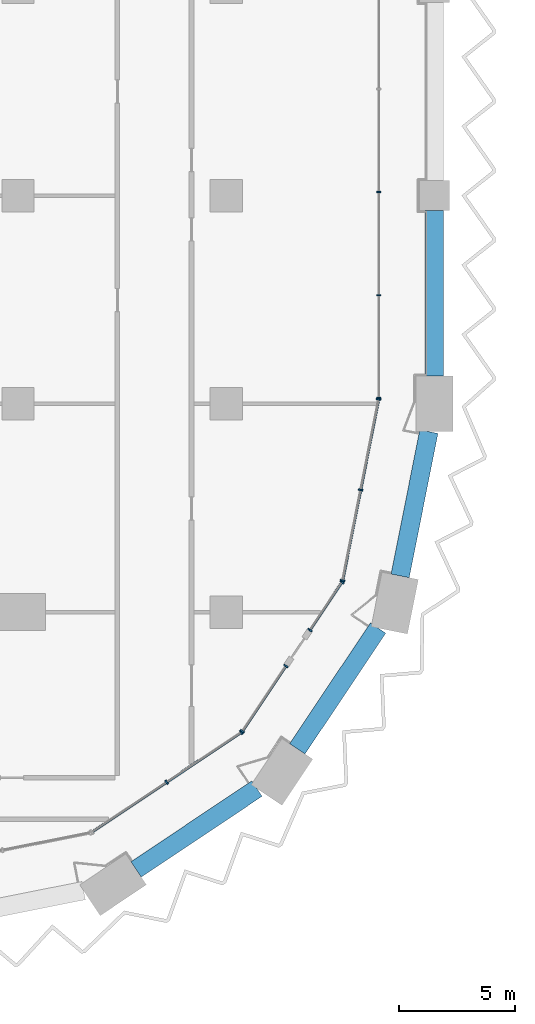
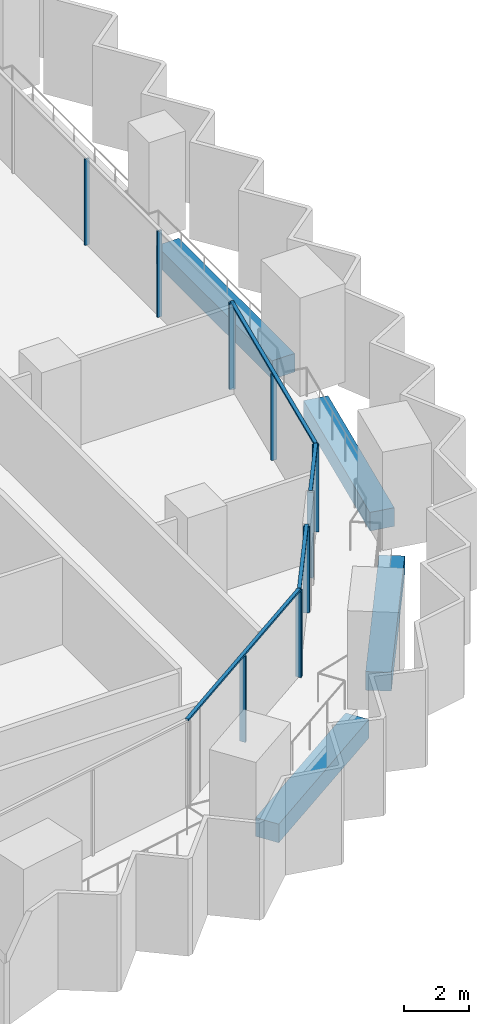
# One storey, part 3 of 29: 16 members, 4 beams, 5 elements without a shape of their own.
"""IFC4 building model written with IfcOpenShell, lengths in metres."""

from ifc_helpers import new_model, si_unit, direction, frame, origin, origin_2d, place, context, subcontext, project, spatial, rectangle, extrude, material, material_profile, profile_set, type_object, element, aggregate, save


model = new_model("IFC4")

# Units and contexts
model_context = context("Model", 3, precision=1e-05, world=origin(), true_north=direction((0.0, 1.0)))
body_context = subcontext(model_context, "Body", "Model", "MODEL_VIEW")
ifc_project = project(units=[si_unit("LENGTHUNIT", "METRE"), si_unit("AREAUNIT", "SQUARE_METRE"), si_unit("VOLUMEUNIT", "CUBIC_METRE"), si_unit("PLANEANGLEUNIT", "RADIAN"), si_unit("MASSUNIT", "GRAM", prefix="KILO")], contexts=[model_context])

# Site, building, storey
site_placement = place(None, origin())
site = spatial("IfcSite", under=ifc_project, at=site_placement, CompositionType="ELEMENT")
building_placement = place(site_placement, origin())
building = spatial("IfcBuilding", under=site, at=building_placement, Name="Hunhe Ridgeline Campus", CompositionType="ELEMENT")
storey_placement = place(building_placement, frame((0.0, 0.0, 50.60009765625)))
storey = spatial("IfcBuildingStorey", under=building, at=storey_placement, Name="L11", CompositionType="ELEMENT", Elevation=50.60009765625)

# Curtain wall, members
ifc_material_1 = material(Name="Aluminium 6063", Category="aluminium")
curtain_wall_type_1 = type_object("IfcCurtainWallType", Name="Curtain wall CW-1", PredefinedType="NOTDEFINED", material=ifc_material_1)
curtain_wall_1_placement = place(storey_placement, origin())
curtain_wall_1 = element("IfcCurtainWall", 1, at=curtain_wall_1_placement, inside=storey, type_object=curtain_wall_type_1, Name="Curtain wall 11", PredefinedType="NOTDEFINED")
ifc_material_profile_1 = material_profile(ifc_material_1, rectangle(XDim=0.159912109375, YDim=0.06005859375, at=origin_2d()))
ifc_profile_set_1 = profile_set([ifc_material_profile_1], Name="Aluminium 6063")
member_type_1 = type_object("IfcMemberType", Name="CW-1 aluminium mullion", PredefinedType="MULLION", material=ifc_profile_set_1)
member_1_placement = place(storey_placement, frame((42.59912109375, 27.266357421875, 0.0), z_axis=(0.0, 0.0, 1.0), x_axis=(-1.0, 1.8682e-07, 0.0)))
member_1 = element("IfcMember", 2, at=member_1_placement, type_object=member_type_1, Name="CW-1 mullion 1", PredefinedType="MULLION", context=body_context, shape_type="SweptSolid", body=[
    extrude(rectangle(XDim=0.159912109375, YDim=0.06005859375, at=origin_2d()), origin(), (0.0, 0.0, 1.0), 3.239990234375),
])
member_2_placement = place(storey_placement, frame((42.59912109375, 31.697021484375, 0.0), z_axis=(0.0, 0.0, 1.0), x_axis=(-1.0, 1.8682e-07, 0.0)))
member_2 = element("IfcMember", 3, at=member_2_placement, type_object=member_type_1, Name="CW-1 mullion 2", PredefinedType="MULLION", context=body_context, shape_type="SweptSolid", body=[
    extrude(rectangle(XDim=0.159912109375, YDim=0.06005859375, at=origin_2d()), origin(), (0.0, 0.0, 1.0), 3.239990234375),
])
member_3_placement = place(storey_placement, frame((42.59912109375, 36.15771484375, 0.0), z_axis=(0.0, 0.0, 1.0), x_axis=(-1.0, 1.8682e-07, 0.0)))
member_3 = element("IfcMember", 4, at=member_3_placement, type_object=member_type_1, Name="CW-1 mullion 3", PredefinedType="MULLION", context=body_context, shape_type="SweptSolid", body=[
    extrude(rectangle(XDim=0.159912109375, YDim=0.06005859375, at=origin_2d()), origin(), (0.0, 0.0, 1.0), 3.239990234375),
])
aggregate(curtain_wall_1, [member_1, member_2, member_3])

curtain_wall_type_2 = type_object("IfcCurtainWallType", Name="Curtain wall CW-5", PredefinedType="NOTDEFINED", material=ifc_material_1)
curtain_wall_2_placement = place(storey_placement, origin())
curtain_wall_2 = element("IfcCurtainWall", 5, at=curtain_wall_2_placement, inside=storey, type_object=curtain_wall_type_2, Name="Curtain wall 07", PredefinedType="NOTDEFINED")
ifc_material_profile_2 = material_profile(ifc_material_1, rectangle(XDim=0.199951171875, YDim=0.070068359375, at=origin_2d()))
ifc_profile_set_2 = profile_set([ifc_material_profile_2], Name="Aluminium 6063")
member_type_2 = type_object("IfcMemberType", Name="CW-5 aluminium mullion", PredefinedType="MULLION", material=ifc_profile_set_2)
member_4_placement = place(storey_placement, frame((33.42626953125, 10.647705078125, 0.0), z_axis=(0.0, 0.0, 1.0), x_axis=(-0.555570274596, 0.831469584522, 0.0)))
member_4 = element("IfcMember", 6, at=member_4_placement, type_object=member_type_2, Name="CW-5 mullion 2", PredefinedType="MULLION", context=body_context, shape_type="SweptSolid", body=[
    extrude(rectangle(XDim=0.199951171875, YDim=0.070068359375, at=origin_2d()), origin(), (0.0, 0.0, 1.0), 3.22998046875),
])
member_5_placement = place(storey_placement, frame((36.649658203125, 12.8017578125, 0.0), z_axis=(0.0, 0.0, 1.0), x_axis=(-0.555570274596, 0.831469584522, 0.0)))
member_5 = element("IfcMember", 7, at=member_5_placement, type_object=member_type_2, Name="CW-5 mullion 3", PredefinedType="MULLION", context=body_context, shape_type="SweptSolid", body=[
    extrude(rectangle(XDim=0.199951171875, YDim=0.070068359375, at=origin_2d()), origin(), (0.0, 0.0, 1.0), 3.22998046875),
])

curtain_wall_3_placement = place(storey_placement, origin())
curtain_wall_3 = element("IfcCurtainWall", 8, at=curtain_wall_3_placement, inside=storey, type_object=curtain_wall_type_2, Name="Curtain wall 08", PredefinedType="NOTDEFINED")
member_6_placement = place(storey_placement, frame((36.6982421875, 12.850341796875, 0.0), z_axis=(0.0, 0.0, 1.0), x_axis=(-0.831469595944, 0.555570257501, 0.0)))
member_6 = element("IfcMember", 9, at=member_6_placement, type_object=member_type_2, Name="CW-5 mullion 1", PredefinedType="MULLION", context=body_context, shape_type="SweptSolid", body=[
    extrude(rectangle(XDim=0.199951171875, YDim=0.070068359375, at=origin_2d()), origin(), (0.0, 0.0, 1.0), 3.22998046875),
])
member_7_placement = place(storey_placement, frame((38.582763671875, 15.67041015625, 0.0), z_axis=(0.0, 0.0, 1.0), x_axis=(-0.831469595944, 0.555570257501, 0.0)))
member_7 = element("IfcMember", 10, at=member_7_placement, type_object=member_type_2, Name="CW-5 mullion 2", PredefinedType="MULLION", context=body_context, shape_type="SweptSolid", body=[
    extrude(rectangle(XDim=0.199951171875, YDim=0.070068359375, at=origin_2d()), origin(), (0.0, 0.0, 1.0), 3.22998046875),
])

curtain_wall_4_placement = place(storey_placement, origin())
curtain_wall_4 = element("IfcCurtainWall", 11, at=curtain_wall_4_placement, inside=storey, type_object=curtain_wall_type_2, Name="Curtain wall 09", PredefinedType="NOTDEFINED")
member_8_placement = place(storey_placement, frame((39.62158203125, 17.225341796875, 0.0), z_axis=(0.0, 0.0, 1.0), x_axis=(-0.831469510353, 0.555570385598, 0.0)))
member_8 = element("IfcMember", 12, at=member_8_placement, type_object=member_type_2, Name="CW-5 mullion 1", PredefinedType="MULLION", context=body_context, shape_type="SweptSolid", body=[
    extrude(rectangle(XDim=0.199951171875, YDim=0.070068359375, at=origin_2d()), origin(), (0.0, 0.0, 1.0), 3.22998046875),
])
member_9_placement = place(storey_placement, frame((41.006103515625, 19.29736328125, 0.0), z_axis=(0.0, 0.0, 1.0), x_axis=(-0.831469510353, 0.555570385598, 0.0)))
member_9 = element("IfcMember", 13, at=member_9_placement, type_object=member_type_2, Name="CW-5 mullion 2", PredefinedType="MULLION", context=body_context, shape_type="SweptSolid", body=[
    extrude(rectangle(XDim=0.199951171875, YDim=0.070068359375, at=origin_2d()), origin(), (0.0, 0.0, 1.0), 3.22998046875),
])

curtain_wall_5_placement = place(storey_placement, origin())
curtain_wall_5 = element("IfcCurtainWall", 14, at=curtain_wall_5_placement, inside=storey, type_object=curtain_wall_type_2, Name="Curtain wall 10", PredefinedType="NOTDEFINED")
member_10_placement = place(storey_placement, frame((41.032470703125, 19.36083984375, 0.0), z_axis=(0.0, 0.0, 1.0), x_axis=(-0.980785284939, 0.195090299215, 0.0)))
member_10 = element("IfcMember", 15, at=member_10_placement, type_object=member_type_2, Name="CW-5 mullion 1", PredefinedType="MULLION", context=body_context, shape_type="SweptSolid", body=[
    extrude(rectangle(XDim=0.199951171875, YDim=0.070068359375, at=origin_2d()), origin(), (0.0, 0.0, 1.0), 3.22998046875),
])
member_11_placement = place(storey_placement, frame((41.812255859375, 23.281494140625, 0.0), z_axis=(0.0, 0.0, 1.0), x_axis=(-0.980785284939, 0.195090299215, 0.0)))
member_11 = element("IfcMember", 16, at=member_11_placement, type_object=member_type_2, Name="CW-5 mullion 2", PredefinedType="MULLION", context=body_context, shape_type="SweptSolid", body=[
    extrude(rectangle(XDim=0.199951171875, YDim=0.070068359375, at=origin_2d()), origin(), (0.0, 0.0, 1.0), 3.22998046875),
])
member_12_placement = place(storey_placement, frame((42.59228515625, 27.2021484375, 0.0), z_axis=(0.0, 0.0, 1.0), x_axis=(-0.980785284939, 0.195090299215, 0.0)))
member_12 = element("IfcMember", 17, at=member_12_placement, type_object=member_type_2, Name="CW-5 mullion 3", PredefinedType="MULLION", context=body_context, shape_type="SweptSolid", body=[
    extrude(rectangle(XDim=0.199951171875, YDim=0.070068359375, at=origin_2d()), origin(), (0.0, 0.0, 1.0), 3.22998046875),
])

# Member
ifc_material_profile_3 = material_profile(ifc_material_1, rectangle(XDim=0.1201171875, YDim=0.070068359375, at=origin_2d()))
ifc_profile_set_3 = profile_set([ifc_material_profile_3], Name="Aluminium 6063")
member_type_3 = type_object("IfcMemberType", Name="CW-5 aluminium transom", PredefinedType="USERDEFINED", material=ifc_profile_set_3)
member_13_placement = place(storey_placement, frame((30.173583984375, 8.474365234375, 3.264892578125), z_axis=(0.831473763475, 0.5555640203, 0.0), x_axis=(-0.5555640203, 0.831473763475, 0.0)))
member_13 = element("IfcMember", 18, at=member_13_placement, type_object=member_type_3, Name="CW-5 transom 1", ObjectType="TRANSOM", PredefinedType="USERDEFINED", context=body_context, shape_type="SweptSolid", body=[
    extrude(rectangle(XDim=0.1201171875, YDim=0.070068359375, at=origin_2d()), origin(), (0.0, 0.0, 1.0), 7.823974609375),
])

aggregate(curtain_wall_2, [member_13, member_4, member_5])

member_14_placement = place(storey_placement, frame((36.678955078125, 12.821044921875, 3.264892578125), z_axis=(0.555546133463, 0.831485714606, 0.0), x_axis=(-0.831485714606, 0.555546133463, 0.0)))
member_14 = element("IfcMember", 19, at=member_14_placement, type_object=member_type_3, Name="CW-5 transom 1", ObjectType="TRANSOM", PredefinedType="USERDEFINED", context=body_context, shape_type="SweptSolid", body=[
    extrude(rectangle(XDim=0.1201171875, YDim=0.070068359375, at=origin_2d()), origin(), (0.0, 0.0, 1.0), 3.462158203125),
])

aggregate(curtain_wall_3, [member_14, member_6, member_7])

member_15_placement = place(storey_placement, frame((39.602294921875, 17.1962890625, 3.264892578125), z_axis=(0.555579547735, 0.831463388334, 0.0), x_axis=(-0.831463388334, 0.555579547735, 0.0)))
member_15 = element("IfcMember", 20, at=member_15_placement, type_object=member_type_3, Name="CW-5 transom 1", ObjectType="TRANSOM", PredefinedType="USERDEFINED", context=body_context, shape_type="SweptSolid", body=[
    extrude(rectangle(XDim=0.1201171875, YDim=0.070068359375, at=origin_2d()), origin(), (0.0, 0.0, 1.0), 2.56201171875),
])

aggregate(curtain_wall_4, [member_15, member_8, member_9])

member_16_placement = place(storey_placement, frame((41.025634765625, 19.326416015625, 3.264892578125), z_axis=(0.195097290093, 0.980783894341, 0.0), x_axis=(-0.980783894341, 0.195097290093, 0.0)))
member_16 = element("IfcMember", 21, at=member_16_placement, type_object=member_type_3, Name="CW-5 transom 1", ObjectType="TRANSOM", PredefinedType="USERDEFINED", context=body_context, shape_type="SweptSolid", body=[
    extrude(rectangle(XDim=0.1201171875, YDim=0.070068359375, at=origin_2d()), origin(), (0.0, 0.0, 1.0), 8.065185546875),
])

aggregate(curtain_wall_5, [member_16, member_10, member_11, member_12])

# Beams
ifc_material_2 = material(Name="Concrete C60", Category="concrete")
ifc_material_profile_4 = material_profile(ifc_material_2, rectangle(XDim=0.800048828125, YDim=0.699951171875, at=origin_2d()))
ifc_profile_set_4 = profile_set([ifc_material_profile_4], Name="Concrete C60")
beam_type = type_object("IfcBeamType", Name="RC spandrel beam 800x700 Concrete C60", PredefinedType="SPANDREL", material=ifc_profile_set_4)
for number, where, z_axis, x_axis, name in (
    (22, (32.108154296875, 6.87939453125, -0.60009765625), (0.831469696846, 0.555570106491, 0.0), (-0.555570106491, 0.831469696846, 0.0), "Spandrel beam B1-6 L11"),
    (23, (39.07666015625, 12.087890625, -0.60009765625), (0.555570106491, 0.831469696846, 0.0), (-0.831469696846, 0.555570106491, 0.0), "Spandrel beam B1-7 L11"),
):
    element("IfcBeam", number, at=place(storey_placement, frame(where, z_axis=z_axis, x_axis=x_axis)), inside=storey, type_object=beam_type, Name=name, PredefinedType="SPANDREL", context=body_context, shape_type="SweptSolid", body=[
        extrude(rectangle(XDim=0.800048828125, YDim=0.699951171875, at=origin_2d()), origin(), (0.0, 0.0, 1.0), 6.280029296875),
    ])
beam_1_placement = place(storey_placement, frame((43.521484375, 19.566650390625, -0.60009765625), z_axis=(0.195067021304, 0.980789914915, 0.0), x_axis=(-0.980789914915, 0.195067021304, 0.0)))
element("IfcBeam", 24, at=beam_1_placement, inside=storey, type_object=beam_type, Name="Spandrel beam B1-8 L11", PredefinedType="SPANDREL", context=body_context, shape_type="SweptSolid", body=[
    extrude(rectangle(XDim=0.800048828125, YDim=0.699951171875, at=origin_2d()), origin(), (0.0, 0.0, 1.0), 6.35546875),
])
beam_2_placement = place(storey_placement, frame((45.0, 28.199951171875, -0.60009765625), z_axis=(0.0, 1.0, 0.0), x_axis=(-1.0, 0.0, 0.0)))
element("IfcBeam", 25, at=beam_2_placement, inside=storey, type_object=beam_type, Name="Spandrel beam B1-9 L11", PredefinedType="SPANDREL", context=body_context, shape_type="SweptSolid", body=[
    extrude(rectangle(XDim=0.800048828125, YDim=0.699951171875, at=origin_2d()), origin(), (0.0, 0.0, 1.0), 7.150146484375),
])

save(model, "model.ifc")
